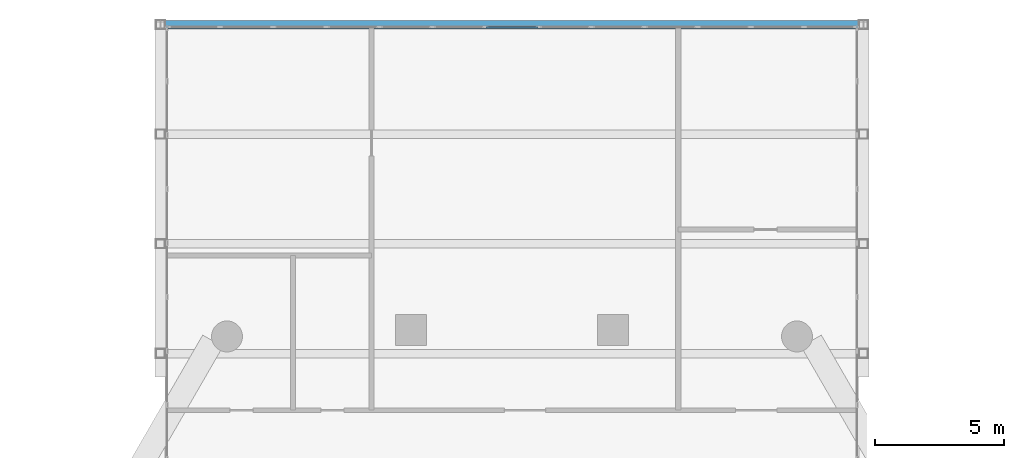
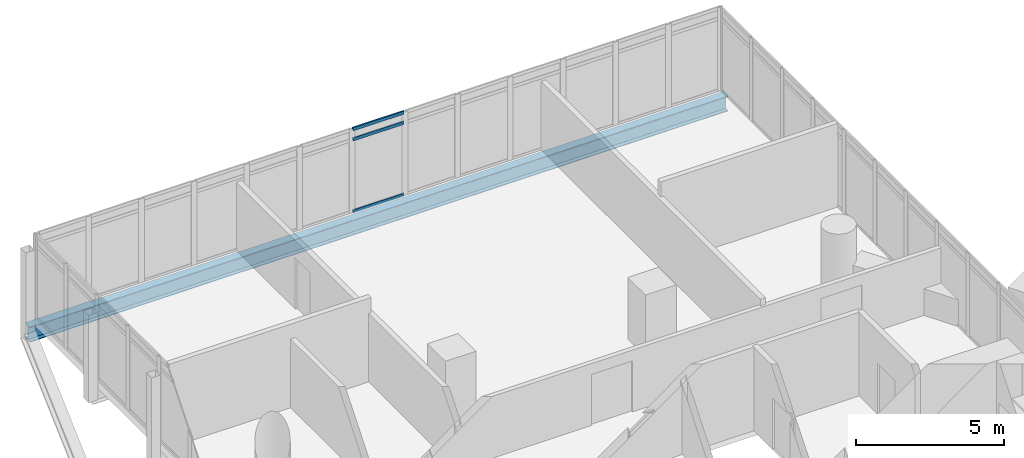
# One storey, part 21 of 37: 3 members, 1 beam, 1 element without a shape of its own.
"""IFC4 building model written with IfcOpenShell, lengths in metres."""

from ifc_helpers import new_model, si_unit, direction, frame, origin, origin_2d, place, context, subcontext, project, spatial, hollow_rectangle, i_section, extrude, material, material_profile, profile_set, type_object, element, aggregate, save


model = new_model("IFC4")

# Units and contexts
model_context = context("Model", 3, precision=1e-05, world=origin(), true_north=direction((0.0, 1.0)))
body_context = subcontext(model_context, "Body", "Model", "MODEL_VIEW")
ifc_project = project(units=[si_unit("LENGTHUNIT", "METRE"), si_unit("AREAUNIT", "SQUARE_METRE"), si_unit("VOLUMEUNIT", "CUBIC_METRE"), si_unit("PLANEANGLEUNIT", "RADIAN"), si_unit("MASSUNIT", "GRAM", prefix="KILO")], contexts=[model_context])

# Site, building, storey
site_placement = place(None, origin())
site = spatial("IfcSite", under=ifc_project, at=site_placement, CompositionType="ELEMENT")
building_placement = place(site_placement, origin())
building = spatial("IfcBuilding", under=site, at=building_placement, Name="Ostrander Bayou Hotel Tower", CompositionType="ELEMENT")
storey_placement = place(building_placement, frame((0.0, 0.0, 93.0)))
storey = spatial("IfcBuildingStorey", under=building, at=storey_placement, Name="L23", CompositionType="ELEMENT", Elevation=93.0)

# Curtain wall, members
ifc_material_1 = material(Name="Aluminium and clear glass", Category="aluminium")
curtain_wall_type = type_object("IfcCurtainWallType", Name="CW-BAR glazed wall", PredefinedType="NOTDEFINED", material=ifc_material_1)
curtain_wall_placement = place(storey_placement, origin())
curtain_wall = element("IfcCurtainWall", 1, at=curtain_wall_placement, inside=storey, type_object=curtain_wall_type, Name="CW-BAR L23:SB2N:T", PredefinedType="NOTDEFINED")
ifc_material_2 = material(Name="Aluminium", Category="aluminium")
ifc_material_profile_1 = material_profile(ifc_material_2, hollow_rectangle(XDim=0.06005859375, YDim=0.1298828125, WallThickness=0.00390625, at=origin_2d()))
ifc_profile_set_1 = profile_set([ifc_material_profile_1], Name="Aluminium")
member_type = type_object("IfcMemberType", Name="CW-BR transom 60 x 130 mm", PredefinedType="USERDEFINED", material=ifc_profile_set_1)
member_1_placement = place(storey_placement, frame((-0.998291015625, 31.4453125, 0.030029296875), z_axis=(1.0, 0.0, 0.0), x_axis=(0.0, 1.0, 0.0)))
member_1 = element("IfcMember", 2, at=member_1_placement, type_object=member_type, Name="CW-BAR transom 7.1", ObjectType="TRANSOM", PredefinedType="USERDEFINED", context=body_context, shape_type="SweptSolid", body=[
    extrude(hollow_rectangle(XDim=0.06005859375, YDim=0.1298828125, WallThickness=0.00390625, at=origin_2d()), origin(), (0.0, 0.0, 1.0), 1.99658203125),
])
member_2_placement = place(storey_placement, frame((-0.998291015625, 31.4453125, 3.0), z_axis=(1.0, 0.0, 0.0), x_axis=(0.0, 1.0, 0.0)))
member_2 = element("IfcMember", 3, at=member_2_placement, type_object=member_type, Name="CW-BAR transom 7.2", ObjectType="TRANSOM", PredefinedType="USERDEFINED", context=body_context, shape_type="SweptSolid", body=[
    extrude(hollow_rectangle(XDim=0.06005859375, YDim=0.1298828125, WallThickness=0.00390625, at=origin_2d()), origin(), (0.0, 0.0, 1.0), 1.99658203125),
])
member_3_placement = place(storey_placement, frame((-0.998291015625, 31.4453125, 3.419921875), z_axis=(1.0, 0.0, 0.0), x_axis=(0.0, 1.0, 0.0)))
member_3 = element("IfcMember", 4, at=member_3_placement, type_object=member_type, Name="CW-BAR transom 7.3", ObjectType="TRANSOM", PredefinedType="USERDEFINED", context=body_context, shape_type="SweptSolid", body=[
    extrude(hollow_rectangle(XDim=0.06005859375, YDim=0.1298828125, WallThickness=0.00390625, at=origin_2d()), origin(), (0.0, 0.0, 1.0), 1.99658203125),
])
aggregate(curtain_wall, [member_1, member_2, member_3])

# Beam
ifc_material_3 = material(Name="Steel ASTM A992", Category="steel")
ifc_material_profile_2 = material_profile(ifc_material_3, i_section(OverallWidth=0.32763671875, OverallDepth=0.621826171875, WebThickness=0.015380859375, FlangeThickness=0.0244140625, at=origin_2d()))
ifc_profile_set_2 = profile_set([ifc_material_profile_2], Name="Steel ASTM A992")
beam_type = type_object("IfcBeamType", Name="TF1 bar floor beam W24x131", PredefinedType="BEAM", material=ifc_profile_set_2)
beam_placement = place(storey_placement, frame((-13.6201171875, 31.54541015625, -0.61083984375), z_axis=(1.0, 0.0, 0.0), x_axis=(0.0, 1.0, 0.0)))
element("IfcBeam", 5, at=beam_placement, inside=storey, type_object=beam_type, Name="TF1 SB2W L1-1", PredefinedType="BEAM", context=body_context, shape_type="SweptSolid", body=[
    extrude(i_section(OverallWidth=0.32763671875, OverallDepth=0.621826171875, WebThickness=0.015380859375, FlangeThickness=0.0244140625, at=origin_2d()), origin(), (0.0, 0.0, 1.0), 27.240234375),
])

save(model, "model.ifc")
